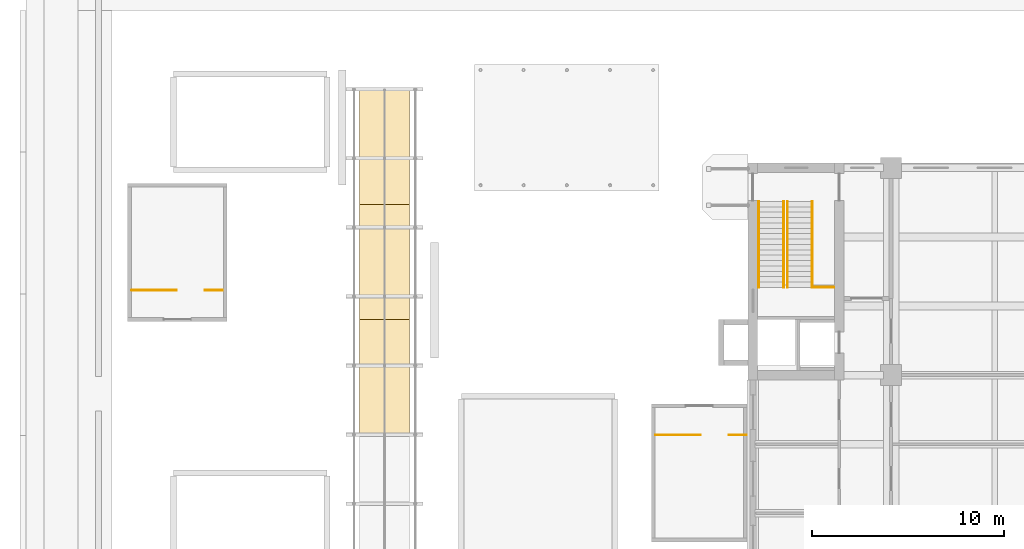
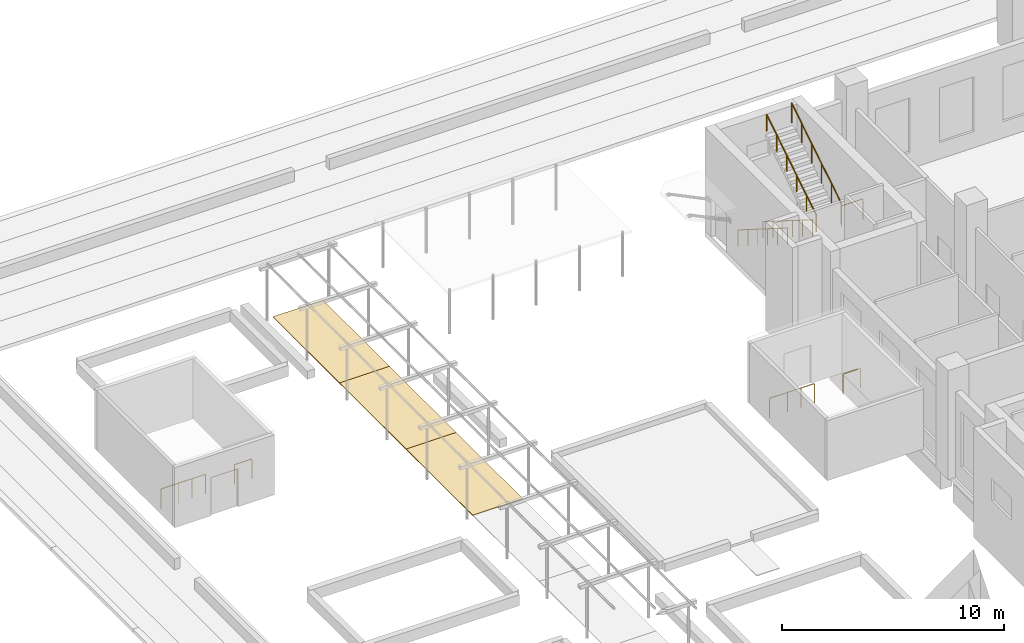
# One storey, part 68 of 71: 11 railings, 3 coverings.
"""IFC4 building model written with IfcOpenShell, lengths in metres."""

import ifcopenshell
import ifcopenshell.guid

model = None  # the IFC model being written
_history = None  # IfcOwnerHistory: only IFC2X3 demands one
_inside = {}  # id of a spatial element -> (the spatial element, [elements in it])
_under = {}  # id of a project, library or spatial element -> (it, [spatial elements below it])
_declared = {}  # id of a project -> (the project, [libraries it declares])
_typed = {}  # id of a type object -> (the type object, [elements of that type])
_made_of = {}  # id of a material, layer set ... -> (it, [elements and type objects made of it])


def new_model(schema):
    """Start an empty IFC model of exactly this schema.

    Asked for "IFC4X3", IfcOpenShell would pick the latest addendum, in which some entities
    have other attributes; the version numbers below select the first issue.
    IFC2X3 requires an IfcOwnerHistory on every rooted entity: one is made here for all.
    """
    global model, _history
    if schema == "IFC4X3":
        model = ifcopenshell.file(schema_version=(4, 3, 0, 0))
    else:
        model = ifcopenshell.file(schema=schema)
    _inside.clear()
    _under.clear()
    _declared.clear()
    _typed.clear()
    _made_of.clear()
    _history = None
    if model.schema == "IFC2X3":
        org = make("IfcOrganization", Name="unknown")
        user = make(
            "IfcPersonAndOrganization",
            ThePerson=make("IfcPerson", FamilyName="unknown"),
            TheOrganization=org,
        )
        app = make(
            "IfcApplication",
            ApplicationDeveloper=org,
            Version="unknown",
            ApplicationFullName="unknown",
            ApplicationIdentifier="unknown",
        )
        _history = make(
            "IfcOwnerHistory",
            OwningUser=user,
            OwningApplication=app,
            ChangeAction="ADDED",
            CreationDate=0,
        )
    return model


def make(cls, **values):
    """One entity of the class cls with the attributes given. An attribute that is None is left unset."""
    return model.create_entity(
        cls, **{name: value for name, value in values.items() if value is not None}
    )


def rooted(cls, **values):
    """An entity with a GlobalId (a new one), such as an element, a storey or a relation."""
    return make(cls, GlobalId=ifcopenshell.guid.new(), OwnerHistory=_history, **values)


def si_unit(unit_type, name, prefix=None):
    """IfcSIUnit, for example si_unit("LENGTHUNIT", "METRE", prefix="MILLI")."""
    return make("IfcSIUnit", UnitType=unit_type, Prefix=prefix, Name=name)


def assignment(units):
    """IfcUnitAssignment: the units of a project."""
    return None if units is None else make("IfcUnitAssignment", Units=units)


def point(xyz):
    """IfcCartesianPoint."""
    return None if xyz is None else make("IfcCartesianPoint", Coordinates=xyz)


def direction(xyz):
    """IfcDirection."""
    return None if xyz is None else make("IfcDirection", DirectionRatios=xyz)


def frame(location, z_axis=None, x_axis=None):
    """IfcAxis2Placement3D, a coordinate frame: its origin and axes. An axis left out is left unset."""
    return make(
        "IfcAxis2Placement3D",
        Location=point(location),
        Axis=direction(z_axis),
        RefDirection=direction(x_axis),
    )


def frame_2d(location, x_axis=None):
    """IfcAxis2Placement2D, a coordinate frame in the plane: its origin and x axis."""
    return make(
        "IfcAxis2Placement2D", Location=point(location), RefDirection=direction(x_axis)
    )


def origin():
    """The frame at (0, 0, 0) with its axes left unset."""
    return frame((0.0, 0.0, 0.0))


def origin_2d():
    """The frame at (0, 0) in the plane with its x axis left unset."""
    return frame_2d((0.0, 0.0))


def place(relative_to, where):
    """IfcLocalPlacement: puts the frame where relative to a parent placement (None: the world)."""
    return make(
        "IfcLocalPlacement", PlacementRelTo=relative_to, RelativePlacement=where
    )


def context(
    kind, dimensions, precision=None, world=None, true_north=None, identifier=None
):
    """IfcGeometricRepresentationContext, for example the 3D "Model" context."""
    return make(
        "IfcGeometricRepresentationContext",
        ContextIdentifier=identifier,
        ContextType=kind,
        CoordinateSpaceDimension=dimensions,
        Precision=precision,
        WorldCoordinateSystem=world,
        TrueNorth=true_north,
    )


def subcontext(parent, identifier, kind, view, scale=None):
    """IfcGeometricRepresentationSubContext, for example "Body" below "Model"."""
    return make(
        "IfcGeometricRepresentationSubContext",
        ContextIdentifier=identifier,
        ContextType=kind,
        ParentContext=parent,
        TargetScale=scale,
        TargetView=view,
    )


def project(units=None, contexts=None):
    """IfcProject with its units and contexts."""
    return rooted(
        "IfcProject",
        Name="project",
        RepresentationContexts=contexts,
        UnitsInContext=assignment(units),
    )


def spatial(cls, under=None, at=None, **own):
    """A site, building, storey or space (cls), placed at a placement, below another one or the project."""
    s = rooted(cls, ObjectPlacement=at, **own)
    if under is not None:
        _under.setdefault(under.id(), (under, []))[1].append(s)
    return s


def polyline(points):
    """IfcPolyline through the points."""
    return make("IfcPolyline", Points=[point(p) for p in points])


def profile(cls, at=None, kind="AREA", **sizes):
    """A parametric profile (cls). Its sizes go by their IFC names, for example OverallWidth=200.0."""
    return make(cls, ProfileType=kind, Position=at, **sizes)


def circle(**sizes):
    """IfcCircleProfileDef."""
    return profile("IfcCircleProfileDef", **sizes)


def outline(outer, holes=None, kind="AREA"):
    """IfcArbitraryClosedProfileDef: a profile drawn as a closed curve; with holes, ...WithVoids."""
    if holes is None:
        return make("IfcArbitraryClosedProfileDef", ProfileType=kind, OuterCurve=outer)
    return make(
        "IfcArbitraryProfileDefWithVoids",
        ProfileType=kind,
        OuterCurve=outer,
        InnerCurves=holes,
    )


def extrude(swept, where, along, depth):
    """IfcExtrudedAreaSolid: the profile swept, set in the frame where, extruded along a direction by depth."""
    return make(
        "IfcExtrudedAreaSolid",
        SweptArea=swept,
        Position=where,
        ExtrudedDirection=direction(along),
        Depth=depth,
    )


def shape(context_of_items, identifier, shape_type, items):
    """IfcShapeRepresentation: the items that make up one representation, for example the "Body"."""
    return make(
        "IfcShapeRepresentation",
        ContextOfItems=context_of_items,
        RepresentationIdentifier=identifier,
        RepresentationType=shape_type,
        Items=items,
    )


def material(Name=None, Category=None):
    """IfcMaterial."""
    return make("IfcMaterial", Name=Name, Category=Category)


def layer(
    of_material, thickness, ventilated=None, Name=None, Category=None, Priority=None
):
    """IfcMaterialLayer: one layer of a wall or slab, of a material (None: an air gap)."""
    return make(
        "IfcMaterialLayer",
        Material=of_material,
        LayerThickness=thickness,
        IsVentilated=ventilated,
        Name=Name,
        Category=Category,
        Priority=Priority,
    )


def layer_set(layers, Name=None):
    """IfcMaterialLayerSet."""
    return make("IfcMaterialLayerSet", MaterialLayers=layers, LayerSetName=Name)


def made_of(thing, what):
    """Note that an element or type object is made of a material, layer set ...; save() writes the relation."""
    if what is not None:
        _made_of.setdefault(what.id(), (what, []))[1].append(thing)
    return thing


def type_object(cls, material=None, **own):
    """A type object (cls), such as IfcWallType, which elements share."""
    return made_of(rooted(cls, **own), material)


def element(
    cls,
    number,
    at=None,
    inside=None,
    cuts=None,
    type_object=None,
    material=None,
    context=None,
    identifier="Body",
    shape_type=None,
    held_by="IfcProductDefinitionShape",
    body=None,
    shapes=None,
    **own,
):
    """One element of the class cls, such as IfcWall. Its Tag is "e" and its number.

    at: its placement. inside: the storey or other place that contains it. cuts: it is an
    opening in that element (IfcRelVoidsElement). A single representation is given by context,
    identifier, shape_type and body (its items); several are given by shapes. held_by: the class
    of the entity that holds the representations. save() writes the other relations.
    """
    e = rooted(cls, Tag="e%d" % number, ObjectPlacement=at, **own)
    if body is not None:
        shapes = [shape(context, identifier, shape_type, body)]
    if shapes is not None:
        e.Representation = make(held_by, Representations=shapes)
    if inside is not None:
        _inside.setdefault(inside.id(), (inside, []))[1].append(e)
    if cuts is not None:
        rooted(
            "IfcRelVoidsElement", RelatingBuildingElement=cuts, RelatedOpeningElement=e
        )
    if type_object is not None:
        _typed.setdefault(type_object.id(), (type_object, []))[1].append(e)
    return made_of(e, material)


def aggregate(whole, parts):
    """IfcRelAggregates: a whole, such as a stair, and the parts it consists of."""
    return rooted("IfcRelAggregates", RelatingObject=whole, RelatedObjects=parts)


def save(model, path):
    """Write the relations noted so far, then the file.

    IfcRelAggregates (storeys below a building ...), IfcRelContainedInSpatialStructure (elements
    in a storey), IfcRelDefinesByType, IfcRelAssociatesMaterial and IfcRelDeclares: one each for
    every whole, place, type object, material and project.
    """
    for whole, parts in _under.values():
        aggregate(whole, parts)
    for where, things in _inside.values():
        rooted(
            "IfcRelContainedInSpatialStructure",
            RelatedElements=things,
            RelatingStructure=where,
        )
    for kind, things in _typed.values():
        rooted("IfcRelDefinesByType", RelatedObjects=things, RelatingType=kind)
    for what, things in _made_of.values():
        rooted("IfcRelAssociatesMaterial", RelatedObjects=things, RelatingMaterial=what)
    for by, libraries in _declared.values():
        rooted("IfcRelDeclares", RelatingContext=by, RelatedDefinitions=libraries)
    model.write(path)


model = new_model("IFC4")

# Units and contexts
model_context = context("Model", 3, precision=1e-05, world=origin(), true_north=direction((0.0, 1.0)))
body_context = subcontext(model_context, "Body", "Model", "MODEL_VIEW")
ifc_project = project(units=[si_unit("LENGTHUNIT", "METRE"), si_unit("AREAUNIT", "SQUARE_METRE"), si_unit("VOLUMEUNIT", "CUBIC_METRE"), si_unit("PLANEANGLEUNIT", "RADIAN"), si_unit("MASSUNIT", "GRAM", prefix="KILO")], contexts=[model_context])

# Site, building, storey
site_placement = place(None, origin())
site = spatial("IfcSite", under=ifc_project, at=site_placement, CompositionType="ELEMENT")
building_placement = place(site_placement, origin())
building = spatial("IfcBuilding", under=site, at=building_placement, Name="Basin Gate Institute", CompositionType="ELEMENT")
storey_placement = place(building_placement, origin())
storey = spatial("IfcBuildingStorey", under=building, at=storey_placement, Name="L00", CompositionType="ELEMENT", Elevation=0.0)

# Coverings
ifc_material_1 = material(Name="Concrete block paving", Category="concrete")
ifc_layer_1 = layer(ifc_material_1, 0.0400390625)
ifc_layer_set_1 = layer_set([ifc_layer_1], Name="Concrete block paving")
covering_type_1 = type_object("IfcCoveringType", Name="Concrete block paving FB4", PredefinedType="FLOORING", material=ifc_layer_set_1)
covering_1_placement = place(storey_placement, origin())
element("IfcCovering", 1, at=covering_1_placement, inside=storey, type_object=covering_type_1, material=ifc_layer_set_1, Name="Laboratory Garden paving walk band 4", PredefinedType="FLOORING", context=body_context, shape_type="SweptSolid", body=[
    extrude(outline(polyline([(40.699951171875, 86.0), (43.300048828125, 86.0), (43.300048828125, 92.0), (40.699951171875, 92.0), (40.699951171875, 86.0)])), origin(), (0.0, 0.0, 1.0), 0.0400390625),
])
covering_2_placement = place(storey_placement, origin())
element("IfcCovering", 2, at=covering_2_placement, inside=storey, type_object=covering_type_1, material=ifc_layer_set_1, Name="Laboratory Garden paving walk band 6", PredefinedType="FLOORING", context=body_context, shape_type="SweptSolid", body=[
    extrude(outline(polyline([(40.699951171875, 98.0), (43.300048828125, 98.0), (43.300048828125, 104.0), (40.699951171875, 104.0), (40.699951171875, 98.0)])), origin(), (0.0, 0.0, 1.0), 0.0400390625),
])
ifc_material_2 = material(Name="Granite paving", Category="masonry")
ifc_layer_2 = layer(ifc_material_2, 0.0400390625)
ifc_layer_set_2 = layer_set([ifc_layer_2], Name="Granite paving FB3")
covering_type_2 = type_object("IfcCoveringType", Name="Granite paving FB3", PredefinedType="FLOORING", material=ifc_layer_set_2)
covering_3_placement = place(storey_placement, origin())
element("IfcCovering", 3, at=covering_3_placement, inside=storey, type_object=covering_type_2, material=ifc_layer_set_2, Name="Laboratory Garden paving walk band 5", PredefinedType="FLOORING", context=body_context, shape_type="SweptSolid", body=[
    extrude(outline(polyline([(40.699951171875, 92.0), (43.300048828125, 92.0), (43.300048828125, 98.0), (40.699951171875, 98.0), (40.699951171875, 92.0)])), origin(), (0.0, 0.0, 1.0), 0.0400390625),
])

# Railings
ifc_material_3 = material(Name="Stainless steel", Category="steel")
railing_type_1 = type_object("IfcRailingType", Name="Stair guard GR1", PredefinedType="GUARDRAIL", material=ifc_material_3)
railing_1_placement = place(storey_placement, frame((64.300048828125, 93.669921875, 3.176513671875)))
element("IfcRailing", 4, at=railing_1_placement, inside=storey, type_object=railing_type_1, material=ifc_material_3, Name="Stair guard GR1 WN GD1", PredefinedType="GUARDRAIL", context=body_context, shape_type="SweptSolid", body=[
    extrude(circle(Radius=0.02392578125, at=origin_2d()), frame((0.0, 0.0, 1.076171875), z_axis=(0.0, 0.845997938375, 0.533186166611), x_axis=(-1.0, 0.0, 0.0)), (0.0, 0.0, 1.0), 5.29541015625),
    extrude(circle(Radius=0.02099609375, at=origin_2d()), origin(), (0.0, 0.0, 1.0), 1.052001953125),
    extrude(circle(Radius=0.02099609375, at=origin_2d()), frame((0.0, 0.89599609375, 0.564697265625)), (0.0, 0.0, 1.0), 1.052001953125),
    extrude(circle(Radius=0.02099609375, at=origin_2d()), frame((0.0, 1.7919921875, 1.12939453125)), (0.0, 0.0, 1.0), 1.052001953125),
    extrude(circle(Radius=0.02099609375, at=origin_2d()), frame((0.0, 2.68798828125, 1.694091796875)), (0.0, 0.0, 1.0), 1.052001953125),
    extrude(circle(Radius=0.02099609375, at=origin_2d()), frame((0.0, 3.583984375, 2.2587890625)), (0.0, 0.0, 1.0), 1.052001953125),
    extrude(circle(Radius=0.02099609375, at=origin_2d()), frame((0.0, 4.47998046875, 2.823486328125)), (0.0, 0.0, 1.0), 1.052001953125),
])
railing_2_placement = place(storey_placement, frame((57.050048828125, 85.97998046875, 0.0)))
element("IfcRailing", 5, at=railing_2_placement, inside=storey, type_object=railing_type_1, material=ifc_material_3, Name="Stair guard GR1 BS2 GD4-B1", PredefinedType="GUARDRAIL", context=body_context, shape_type="SweptSolid", body=[
    extrude(circle(Radius=0.02392578125, at=origin_2d()), frame((0.0, 0.0, 1.076171875), z_axis=(1.0, 0.0, 0.0), x_axis=(0.0, 1.0, 0.0)), (0.0, 0.0, 1.0), 1.39990234375),
    extrude(circle(Radius=0.02099609375, at=origin_2d()), origin(), (0.0, 0.0, 1.0), 1.052001953125),
    extrude(circle(Radius=0.02099609375, at=origin_2d()), frame((0.699951171875, 0.0, 0.0)), (0.0, 0.0, 1.0), 1.052001953125),
    extrude(circle(Radius=0.02099609375, at=origin_2d()), frame((1.39990234375, 0.0, 0.0)), (0.0, 0.0, 1.0), 1.052001953125),
])
railing_3_placement = place(storey_placement, frame((56.1298828125, 85.97998046875, 0.0)))
element("IfcRailing", 6, at=railing_3_placement, inside=storey, type_object=railing_type_1, material=ifc_material_3, Name="Stair guard GR1 BS2 GD4b-B1", PredefinedType="GUARDRAIL", context=body_context, shape_type="SweptSolid", body=[
    extrude(circle(Radius=0.02392578125, at=origin_2d()), frame((0.0, 0.0, 1.076171875), z_axis=(1.0, 0.0, 0.0), x_axis=(0.0, 1.0, 0.0)), (0.0, 0.0, 1.0), 0.920166015625),
    extrude(circle(Radius=0.02099609375, at=origin_2d()), origin(), (0.0, 0.0, 1.0), 1.052001953125),
    extrude(circle(Radius=0.02099609375, at=origin_2d()), frame((0.920166015625, 0.0, 0.0)), (0.0, 0.0, 1.0), 1.052001953125),
])
railing_4_placement = place(storey_placement, frame((59.949951171875, 85.97998046875, 0.0)))
element("IfcRailing", 7, at=railing_4_placement, inside=storey, type_object=railing_type_1, material=ifc_material_3, Name="Stair guard GR1 BS2 GD5-B1", PredefinedType="GUARDRAIL", context=body_context, shape_type="SweptSolid", body=[
    extrude(circle(Radius=0.02392578125, at=origin_2d()), frame((0.0, 0.0, 1.076171875), z_axis=(1.0, 0.0, 0.0), x_axis=(0.0, 1.0, 0.0)), (0.0, 0.0, 1.0), 0.900146484375),
    extrude(circle(Radius=0.02099609375, at=origin_2d()), origin(), (0.0, 0.0, 1.0), 1.052001953125),
    extrude(circle(Radius=0.02099609375, at=origin_2d()), frame((0.900146484375, 0.0, 0.0)), (0.0, 0.0, 1.0), 1.052001953125),
])
railing_5_placement = place(storey_placement, frame((29.75, 93.52001953125, 0.0)))
element("IfcRailing", 8, at=railing_5_placement, inside=storey, type_object=railing_type_1, material=ifc_material_3, Name="Stair guard GR1 BS5 GD4-B1", PredefinedType="GUARDRAIL", context=body_context, shape_type="SweptSolid", body=[
    extrude(circle(Radius=0.02392578125, at=origin_2d()), frame((0.0, 0.0, 1.076171875), z_axis=(1.0, 0.0, 0.0), x_axis=(0.0, 1.0, 0.0)), (0.0, 0.0, 1.0), 1.39990234375),
    extrude(circle(Radius=0.02099609375, at=origin_2d()), origin(), (0.0, 0.0, 1.0), 1.052001953125),
    extrude(circle(Radius=0.02099609375, at=origin_2d()), frame((0.699951171875, 0.0, 0.0)), (0.0, 0.0, 1.0), 1.052001953125),
    extrude(circle(Radius=0.02099609375, at=origin_2d()), frame((1.39990234375, 0.0, 0.0)), (0.0, 0.0, 1.0), 1.052001953125),
])
railing_6_placement = place(storey_placement, frame((28.830078125, 93.52001953125, 0.0)))
element("IfcRailing", 9, at=railing_6_placement, inside=storey, type_object=railing_type_1, material=ifc_material_3, Name="Stair guard GR1 BS5 GD4b-B1", PredefinedType="GUARDRAIL", context=body_context, shape_type="SweptSolid", body=[
    extrude(circle(Radius=0.02392578125, at=origin_2d()), frame((0.0, 0.0, 1.076171875), z_axis=(1.0, 0.0, 0.0), x_axis=(0.0, 1.0, 0.0)), (0.0, 0.0, 1.0), 0.919921875),
    extrude(circle(Radius=0.02099609375, at=origin_2d()), origin(), (0.0, 0.0, 1.0), 1.052001953125),
    extrude(circle(Radius=0.02099609375, at=origin_2d()), frame((0.919921875, 0.0, 0.0)), (0.0, 0.0, 1.0), 1.052001953125),
])
railing_7_placement = place(storey_placement, frame((32.64990234375, 93.52001953125, 0.0)))
element("IfcRailing", 10, at=railing_7_placement, inside=storey, type_object=railing_type_1, material=ifc_material_3, Name="Stair guard GR1 BS5 GD5-B1", PredefinedType="GUARDRAIL", context=body_context, shape_type="SweptSolid", body=[
    extrude(circle(Radius=0.02392578125, at=origin_2d()), frame((0.0, 0.0, 1.076171875), z_axis=(1.0, 0.0, 0.0), x_axis=(0.0, 1.0, 0.0)), (0.0, 0.0, 1.0), 0.900146484375),
    extrude(circle(Radius=0.02099609375, at=origin_2d()), origin(), (0.0, 0.0, 1.0), 1.052001953125),
    extrude(circle(Radius=0.02099609375, at=origin_2d()), frame((0.900146484375, 0.0, 0.0)), (0.0, 0.0, 1.0), 1.052001953125),
])
ifc_material_4 = material(Name="Stainless steel", Category="steel")
railing_type_2 = type_object("IfcRailingType", Name="Stair guard GR3", PredefinedType="GUARDRAIL", material=ifc_material_4)
railing_8_placement = place(storey_placement, frame((64.300048828125, 93.669921875, 3.0)))
element("IfcRailing", 11, at=railing_8_placement, inside=storey, type_object=railing_type_2, material=ifc_material_4, Name="Stair guard GR3 WN GD2", PredefinedType="GUARDRAIL", context=body_context, shape_type="SweptSolid", body=[
    extrude(circle(Radius=0.02392578125, at=origin_2d()), frame((0.0, 0.0, 1.1259765625), z_axis=(1.0, 0.0, 0.0), x_axis=(0.0, 1.0, 0.0)), (0.0, 0.0, 1.0), 1.119873046875),
    extrude(circle(Radius=0.02099609375, at=origin_2d()), origin(), (0.0, 0.0, 1.0), 1.101806640625),
    extrude(circle(Radius=0.02099609375, at=origin_2d()), frame((1.119873046875, 0.0, 0.0)), (0.0, 0.0, 1.0), 1.101806640625),
])
ifc_material_5 = material(Name="Stainless steel", Category="steel")
railing_type_3 = type_object("IfcRailingType", Name="Stair handrail HR1", PredefinedType="HANDRAIL", material=ifc_material_5)
for number, where, name in (
    (12, (61.5, 98.14990234375, 0.176513671875), "Stair handrail HR1 WN HR1"),
    (13, (62.800048828125, 98.14990234375, 0.176513671875), "Stair handrail HR1 WN HR2"),
):
    element("IfcRailing", number, at=place(storey_placement, frame(where)), inside=storey, type_object=railing_type_3, material=ifc_material_5, Name=name, PredefinedType="HANDRAIL", context=body_context, shape_type="SweptSolid", body=[
        extrude(circle(Radius=0.02392578125, at=origin_2d()), frame((0.0, 0.0, 0.89599609375), z_axis=(0.0, -0.845997938375, 0.533186166611), x_axis=(1.0, 0.0, 0.0)), (0.0, 0.0, 1.0), 5.29541015625),
        extrude(circle(Radius=0.02099609375, at=origin_2d()), origin(), (0.0, 0.0, 1.0), 0.871826171875),
        extrude(circle(Radius=0.02099609375, at=origin_2d()), frame((0.0, -0.89599609375, 0.564697265625)), (0.0, 0.0, 1.0), 0.871826171875),
        extrude(circle(Radius=0.02099609375, at=origin_2d()), frame((0.0, -1.7919921875, 1.12939453125)), (0.0, 0.0, 1.0), 0.871826171875),
        extrude(circle(Radius=0.02099609375, at=origin_2d()), frame((0.0, -2.68798828125, 1.694091796875)), (0.0, 0.0, 1.0), 0.871826171875),
        extrude(circle(Radius=0.02099609375, at=origin_2d()), frame((0.0, -3.583984375, 2.2587890625)), (0.0, 0.0, 1.0), 0.871826171875),
        extrude(circle(Radius=0.02099609375, at=origin_2d()), frame((0.0, -4.47998046875, 2.823486328125)), (0.0, 0.0, 1.0), 0.871826171875),
    ])
railing_9_placement = place(storey_placement, frame((63.0, 93.669921875, 3.176513671875)))
element("IfcRailing", 14, at=railing_9_placement, inside=storey, type_object=railing_type_3, material=ifc_material_5, Name="Stair handrail HR1 WN HR3", PredefinedType="HANDRAIL", context=body_context, shape_type="SweptSolid", body=[
    extrude(circle(Radius=0.02392578125, at=origin_2d()), frame((0.0, 0.0, 0.89599609375), z_axis=(0.0, 0.845997938375, 0.533186166611), x_axis=(-1.0, 0.0, 0.0)), (0.0, 0.0, 1.0), 5.29541015625),
    extrude(circle(Radius=0.02099609375, at=origin_2d()), origin(), (0.0, 0.0, 1.0), 0.871826171875),
    extrude(circle(Radius=0.02099609375, at=origin_2d()), frame((0.0, 0.89599609375, 0.564697265625)), (0.0, 0.0, 1.0), 0.871826171875),
    extrude(circle(Radius=0.02099609375, at=origin_2d()), frame((0.0, 1.7919921875, 1.12939453125)), (0.0, 0.0, 1.0), 0.871826171875),
    extrude(circle(Radius=0.02099609375, at=origin_2d()), frame((0.0, 2.68798828125, 1.694091796875)), (0.0, 0.0, 1.0), 0.871826171875),
    extrude(circle(Radius=0.02099609375, at=origin_2d()), frame((0.0, 3.583984375, 2.2587890625)), (0.0, 0.0, 1.0), 0.871826171875),
    extrude(circle(Radius=0.02099609375, at=origin_2d()), frame((0.0, 4.47998046875, 2.823486328125)), (0.0, 0.0, 1.0), 0.871826171875),
])

save(model, "model.ifc")
